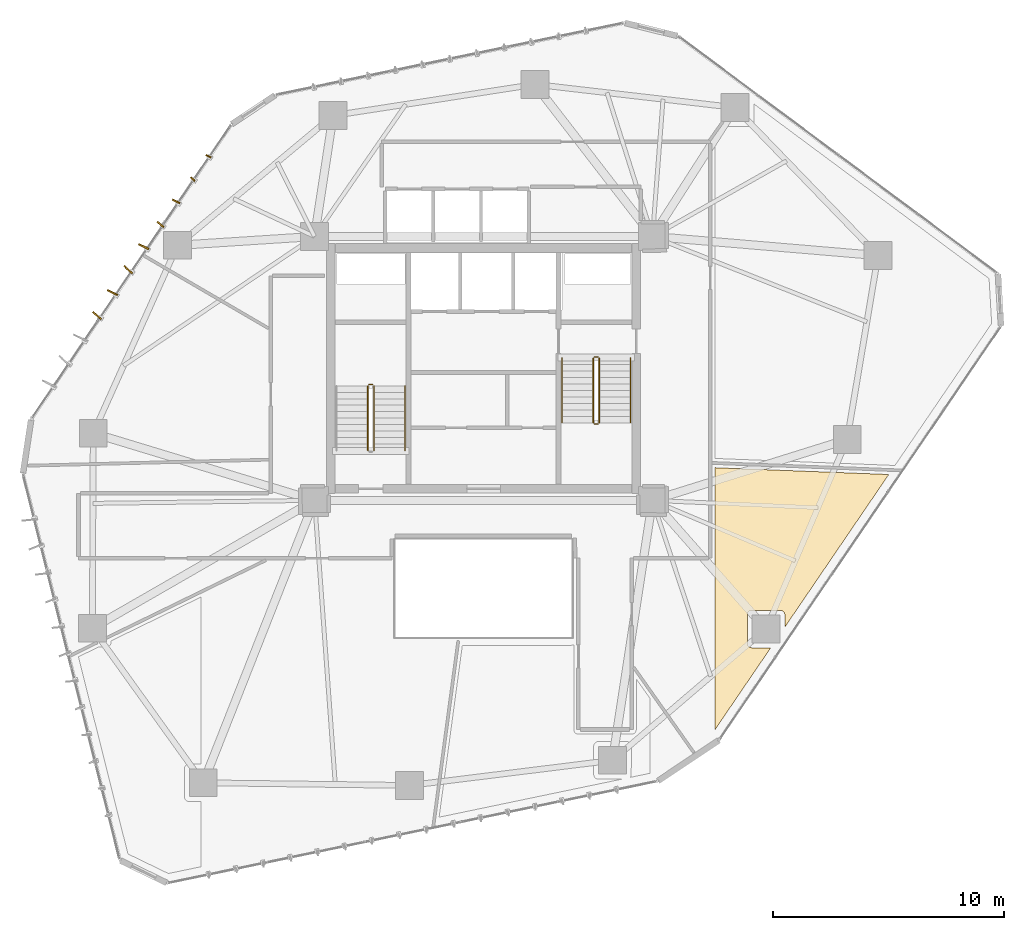
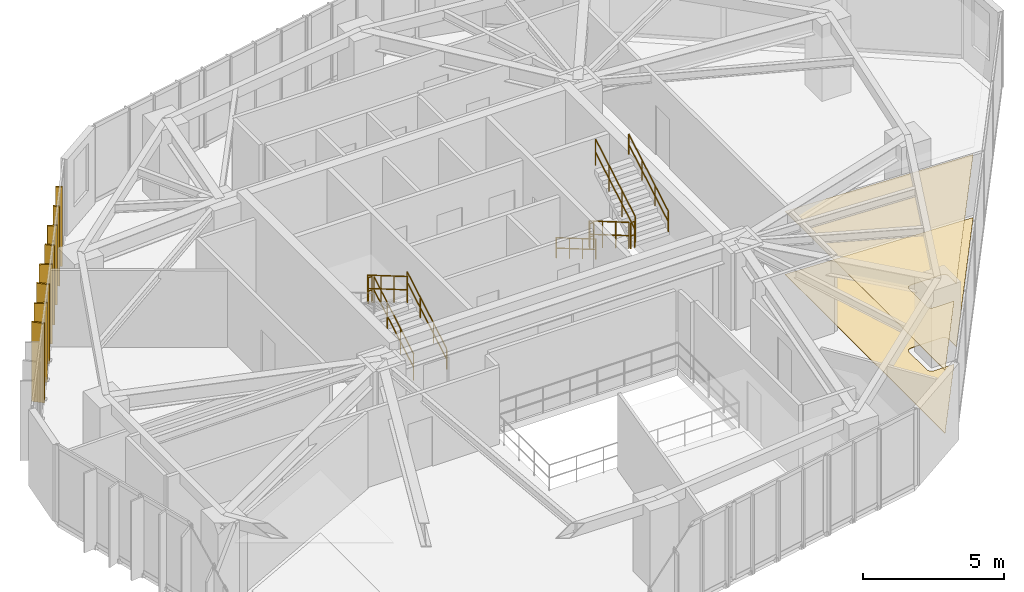
# One storey, part 21 of 22: 10 railings, 8 shading devices, 2 coverings.
"""IFC4 building model written with IfcOpenShell, lengths in metres."""

from ifc_helpers import new_model, si_unit, direction, frame, origin, origin_2d, place, context, subcontext, project, spatial, polyline, rectangle, circle, outline, extrude, source, transform, mapped, material, layer, layer_set, type_object, type_shapes, element, save


model = new_model("IFC4")

# Units and contexts
model_context = context("Model", 3, precision=1e-05, world=origin(), true_north=direction((0.0, 1.0)))
body_context = subcontext(model_context, "Body", "Model", "MODEL_VIEW")
ifc_project = project(units=[si_unit("LENGTHUNIT", "METRE"), si_unit("AREAUNIT", "SQUARE_METRE"), si_unit("VOLUMEUNIT", "CUBIC_METRE"), si_unit("PLANEANGLEUNIT", "RADIAN"), si_unit("MASSUNIT", "GRAM", prefix="KILO")], contexts=[model_context])

# Site, building, storey
site_placement = place(None, origin())
site = spatial("IfcSite", under=ifc_project, at=site_placement, CompositionType="ELEMENT")
building_placement = place(site_placement, origin())
building = spatial("IfcBuilding", under=site, at=building_placement, Name="Talar Marvaseh", CompositionType="ELEMENT")
storey_placement = place(building_placement, frame((0.0, 0.0, 125.39990234375)))
storey = spatial("IfcBuildingStorey", under=building, at=storey_placement, Name="L32", CompositionType="ELEMENT", Elevation=125.39990234375)

# Railings
ifc_material_1 = material(Name="Stainless Steel Grade 316", Category="steel")
railing_type_1 = type_object("IfcRailingType", Name="Brushed Stainless Wall Pitch Handrail 900", PredefinedType="HANDRAIL", material=ifc_material_1)
railing_1_placement = place(storey_placement, frame((22.610107421875, 27.64990234375, 0.163818359375)))
element("IfcRailing", 1, at=railing_1_placement, inside=storey, type_object=railing_type_1, Name="L32 ST-1 stair handrail 1", PredefinedType="HANDRAIL", context=body_context, shape_type="SweptSolid", body=[
    extrude(circle(Radius=0.02392578125, at=origin_2d()), frame((0.0, 0.0, 0.8759765625), z_axis=(0.0, 0.863393664356, 0.504530851732), x_axis=(-1.0, 0.0, 0.0)), (0.0, 0.0, 1.0), 3.2431640625),
    extrude(circle(Radius=0.02392578125, at=origin_2d()), frame((0.0, 0.0, 0.42578125), z_axis=(0.0, 0.863393664356, 0.504530851732), x_axis=(-1.0, 0.0, 0.0)), (0.0, 0.0, 1.0), 3.2431640625),
    extrude(circle(Radius=0.02099609375, at=origin_2d()), origin(), (0.0, 0.0, 1.0), 0.851806640625),
    extrude(circle(Radius=0.02099609375, at=origin_2d()), frame((0.0, 0.933349609375, 0.54541015625)), (0.0, 0.0, 1.0), 0.851806640625),
    extrude(circle(Radius=0.02099609375, at=origin_2d()), frame((0.0, 1.86669921875, 1.0908203125)), (0.0, 0.0, 1.0), 0.851806640625),
    extrude(circle(Radius=0.02099609375, at=origin_2d()), frame((0.0, 2.800048828125, 1.63623046875)), (0.0, 0.0, 1.0), 0.851806640625),
])
railing_2_placement = place(storey_placement, frame((29.389892578125, 31.64990234375, 0.163818359375)))
element("IfcRailing", 2, at=railing_2_placement, inside=storey, type_object=railing_type_1, Name="L32 ST-2 stair handrail 1", PredefinedType="HANDRAIL", context=body_context, shape_type="SweptSolid", body=[
    extrude(circle(Radius=0.02392578125, at=origin_2d()), frame((0.0, 0.0, 0.8759765625), z_axis=(0.0, -0.863374499697, 0.504563646405), x_axis=(1.0, 0.0, 0.0)), (0.0, 0.0, 1.0), 3.242919921875),
    extrude(circle(Radius=0.02392578125, at=origin_2d()), frame((0.0, 0.0, 0.42578125), z_axis=(0.0, -0.863374499697, 0.504563646405), x_axis=(1.0, 0.0, 0.0)), (0.0, 0.0, 1.0), 3.242919921875),
    extrude(circle(Radius=0.02099609375, at=origin_2d()), origin(), (0.0, 0.0, 1.0), 0.851806640625),
    extrude(circle(Radius=0.02099609375, at=origin_2d()), frame((0.0, -0.933349609375, 0.54541015625)), (0.0, 0.0, 1.0), 0.851806640625),
    extrude(circle(Radius=0.02099609375, at=origin_2d()), frame((0.0, -1.866455078125, 1.0908203125)), (0.0, 0.0, 1.0), 0.851806640625),
    extrude(circle(Radius=0.02099609375, at=origin_2d()), frame((0.0, -2.7998046875, 1.63623046875)), (0.0, 0.0, 1.0), 0.851806640625),
])
railing_3_placement = place(storey_placement, frame((32.35009765625, 28.85009765625, 1.963623046875)))
element("IfcRailing", 3, at=railing_3_placement, inside=storey, type_object=railing_type_1, Name="L32 ST-2 stair handrail 2", PredefinedType="HANDRAIL", context=body_context, shape_type="SweptSolid", body=[
    extrude(circle(Radius=0.02392578125, at=origin_2d()), frame((0.0, 0.0, 0.8759765625), z_axis=(0.0, 0.863341702679, 0.504619762213), x_axis=(-1.0, 0.0, 0.0)), (0.0, 0.0, 1.0), 3.242919921875),
    extrude(circle(Radius=0.02392578125, at=origin_2d()), frame((0.0, 0.0, 0.42578125), z_axis=(0.0, 0.863341702679, 0.504619762213), x_axis=(-1.0, 0.0, 0.0)), (0.0, 0.0, 1.0), 3.242919921875),
    extrude(circle(Radius=0.02099609375, at=origin_2d()), origin(), (0.0, 0.0, 1.0), 0.851806640625),
    extrude(circle(Radius=0.02099609375, at=origin_2d()), frame((0.0, 0.933349609375, 0.54541015625)), (0.0, 0.0, 1.0), 0.851806640625),
    extrude(circle(Radius=0.02099609375, at=origin_2d()), frame((0.0, 1.866455078125, 1.091064453125)), (0.0, 0.0, 1.0), 0.851806640625),
    extrude(circle(Radius=0.02099609375, at=origin_2d()), frame((0.0, 2.7998046875, 1.636474609375)), (0.0, 0.0, 1.0), 0.851806640625),
])
railing_type_2 = type_object("IfcRailingType", Name="Painted Steel Core Stair Well Guardrail 1150", PredefinedType="GUARDRAIL", material=ifc_material_1)
railing_4_placement = place(storey_placement, frame((21.260009765625, 27.64990234375, 0.163818359375)))
element("IfcRailing", 4, at=railing_4_placement, inside=storey, type_object=railing_type_2, Name="L32 ST-1 stair guard 1", PredefinedType="GUARDRAIL", context=body_context, shape_type="SweptSolid", body=[
    extrude(circle(Radius=0.02392578125, at=origin_2d()), frame((0.0, 0.0, 1.1259765625), z_axis=(0.0, 0.863393664356, 0.504530851732), x_axis=(-1.0, 0.0, 0.0)), (0.0, 0.0, 1.0), 3.2431640625),
    extrude(circle(Radius=0.02392578125, at=origin_2d()), frame((0.0, 0.0, 0.55078125), z_axis=(0.0, 0.863393664356, 0.504530851732), x_axis=(-1.0, 0.0, 0.0)), (0.0, 0.0, 1.0), 3.2431640625),
    extrude(circle(Radius=0.02099609375, at=origin_2d()), origin(), (0.0, 0.0, 1.0), 1.101806640625),
    extrude(circle(Radius=0.02099609375, at=origin_2d()), frame((0.0, 0.933349609375, 0.54541015625)), (0.0, 0.0, 1.0), 1.101806640625),
    extrude(circle(Radius=0.02099609375, at=origin_2d()), frame((0.0, 1.86669921875, 1.0908203125)), (0.0, 0.0, 1.0), 1.101806640625),
    extrude(circle(Radius=0.02099609375, at=origin_2d()), frame((0.0, 2.800048828125, 1.63623046875)), (0.0, 0.0, 1.0), 1.101806640625),
])
railing_5_placement = place(storey_placement, frame((21.2099609375, 30.5, 1.800048828125)))
element("IfcRailing", 5, at=railing_5_placement, inside=storey, type_object=railing_type_2, Name="L32 ST-1 stair guard 2", PredefinedType="GUARDRAIL", context=body_context, shape_type="SweptSolid", body=[
    extrude(circle(Radius=0.02392578125, at=origin_2d()), frame((0.0, 0.0, 1.1259765625), z_axis=(-1.0, 0.0, 0.0), x_axis=(0.0, -1.0, 0.0)), (0.0, 0.0, 1.0), 0.159912109375),
    extrude(circle(Radius=0.02392578125, at=origin_2d()), frame((0.0, 0.0, 0.55078125), z_axis=(-1.0, 0.0, 0.0), x_axis=(0.0, -1.0, 0.0)), (0.0, 0.0, 1.0), 0.159912109375),
    extrude(circle(Radius=0.02099609375, at=origin_2d()), origin(), (0.0, 0.0, 1.0), 1.101806640625),
    extrude(circle(Radius=0.02099609375, at=origin_2d()), frame((-0.159912109375, 0.0, 0.0)), (0.0, 0.0, 1.0), 1.101806640625),
])
railing_6_placement = place(storey_placement, frame((21.0, 30.449951171875, 1.963623046875)))
element("IfcRailing", 6, at=railing_6_placement, inside=storey, type_object=railing_type_2, Name="L32 ST-1 stair guard 3", PredefinedType="GUARDRAIL", context=body_context, shape_type="SweptSolid", body=[
    extrude(circle(Radius=0.02392578125, at=origin_2d()), frame((0.0, 0.0, 1.1259765625), z_axis=(0.0, -0.863360870873, 0.504586966384), x_axis=(1.0, 0.0, 0.0)), (0.0, 0.0, 1.0), 3.2431640625),
    extrude(circle(Radius=0.02392578125, at=origin_2d()), frame((0.0, 0.0, 0.55078125), z_axis=(0.0, -0.863360870873, 0.504586966384), x_axis=(1.0, 0.0, 0.0)), (0.0, 0.0, 1.0), 3.2431640625),
    extrude(circle(Radius=0.02099609375, at=origin_2d()), origin(), (0.0, 0.0, 1.0), 1.101806640625),
    extrude(circle(Radius=0.02099609375, at=origin_2d()), frame((0.0, -0.933349609375, 0.54541015625)), (0.0, 0.0, 1.0), 1.101806640625),
    extrude(circle(Radius=0.02099609375, at=origin_2d()), frame((0.0, -1.86669921875, 1.091064453125)), (0.0, 0.0, 1.0), 1.101806640625),
    extrude(circle(Radius=0.02099609375, at=origin_2d()), frame((0.0, -2.800048828125, 1.636474609375)), (0.0, 0.0, 1.0), 1.101806640625),
])
railing_7_placement = place(storey_placement, frame((30.739990234375, 31.64990234375, 0.163818359375)))
element("IfcRailing", 7, at=railing_7_placement, inside=storey, type_object=railing_type_2, Name="L32 ST-2 stair guard 1", PredefinedType="GUARDRAIL", context=body_context, shape_type="SweptSolid", body=[
    extrude(circle(Radius=0.02392578125, at=origin_2d()), frame((0.0, 0.0, 1.1259765625), z_axis=(0.0, -0.863374499697, 0.504563646405), x_axis=(1.0, 0.0, 0.0)), (0.0, 0.0, 1.0), 3.242919921875),
    extrude(circle(Radius=0.02392578125, at=origin_2d()), frame((0.0, 0.0, 0.55078125), z_axis=(0.0, -0.863374499697, 0.504563646405), x_axis=(1.0, 0.0, 0.0)), (0.0, 0.0, 1.0), 3.242919921875),
    extrude(circle(Radius=0.02099609375, at=origin_2d()), origin(), (0.0, 0.0, 1.0), 1.101806640625),
    extrude(circle(Radius=0.02099609375, at=origin_2d()), frame((0.0, -0.933349609375, 0.54541015625)), (0.0, 0.0, 1.0), 1.101806640625),
    extrude(circle(Radius=0.02099609375, at=origin_2d()), frame((0.0, -1.866455078125, 1.0908203125)), (0.0, 0.0, 1.0), 1.101806640625),
    extrude(circle(Radius=0.02099609375, at=origin_2d()), frame((0.0, -2.7998046875, 1.63623046875)), (0.0, 0.0, 1.0), 1.101806640625),
])
railing_8_placement = place(storey_placement, frame((30.7900390625, 28.800048828125, 1.800048828125)))
element("IfcRailing", 8, at=railing_8_placement, inside=storey, type_object=railing_type_2, Name="L32 ST-2 stair guard 2", PredefinedType="GUARDRAIL", context=body_context, shape_type="SweptSolid", body=[
    extrude(circle(Radius=0.02392578125, at=origin_2d()), frame((0.0, 0.0, 1.1259765625), z_axis=(1.0, 0.0, 0.0), x_axis=(0.0, 1.0, 0.0)), (0.0, 0.0, 1.0), 0.159912109375),
    extrude(circle(Radius=0.02392578125, at=origin_2d()), frame((0.0, 0.0, 0.55078125), z_axis=(1.0, 0.0, 0.0), x_axis=(0.0, 1.0, 0.0)), (0.0, 0.0, 1.0), 0.159912109375),
    extrude(circle(Radius=0.02099609375, at=origin_2d()), origin(), (0.0, 0.0, 1.0), 1.101806640625),
    extrude(circle(Radius=0.02099609375, at=origin_2d()), frame((0.159912109375, 0.0, 0.0)), (0.0, 0.0, 1.0), 1.101806640625),
])
railing_9_placement = place(storey_placement, frame((31.0, 28.85009765625, 1.963623046875)))
element("IfcRailing", 9, at=railing_9_placement, inside=storey, type_object=railing_type_2, Name="L32 ST-2 stair guard 3", PredefinedType="GUARDRAIL", context=body_context, shape_type="SweptSolid", body=[
    extrude(circle(Radius=0.02392578125, at=origin_2d()), frame((0.0, 0.0, 1.1259765625), z_axis=(0.0, 0.863341702679, 0.504619762213), x_axis=(-1.0, 0.0, 0.0)), (0.0, 0.0, 1.0), 3.242919921875),
    extrude(circle(Radius=0.02392578125, at=origin_2d()), frame((0.0, 0.0, 0.55078125), z_axis=(0.0, 0.863341702679, 0.504619762213), x_axis=(-1.0, 0.0, 0.0)), (0.0, 0.0, 1.0), 3.242919921875),
    extrude(circle(Radius=0.02099609375, at=origin_2d()), origin(), (0.0, 0.0, 1.0), 1.101806640625),
    extrude(circle(Radius=0.02099609375, at=origin_2d()), frame((0.0, 0.933349609375, 0.54541015625)), (0.0, 0.0, 1.0), 1.101806640625),
    extrude(circle(Radius=0.02099609375, at=origin_2d()), frame((0.0, 1.866455078125, 1.091064453125)), (0.0, 0.0, 1.0), 1.101806640625),
    extrude(circle(Radius=0.02099609375, at=origin_2d()), frame((0.0, 2.7998046875, 1.636474609375)), (0.0, 0.0, 1.0), 1.101806640625),
])
railing_10_placement = place(storey_placement, frame((30.7900390625, 31.699951171875, 0.0)))
element("IfcRailing", 10, at=railing_10_placement, inside=storey, type_object=railing_type_2, Name="L32 ST-2 stair guard 4", PredefinedType="GUARDRAIL", context=body_context, shape_type="SweptSolid", body=[
    extrude(circle(Radius=0.02392578125, at=origin_2d()), frame((0.0, 0.0, 1.1259765625), z_axis=(1.0, 0.0, 0.0), x_axis=(0.0, 1.0, 0.0)), (0.0, 0.0, 1.0), 0.159912109375),
    extrude(circle(Radius=0.02392578125, at=origin_2d()), frame((0.0, 0.0, 0.55078125), z_axis=(1.0, 0.0, 0.0), x_axis=(0.0, 1.0, 0.0)), (0.0, 0.0, 1.0), 0.159912109375),
    extrude(circle(Radius=0.02099609375, at=origin_2d()), origin(), (0.0, 0.0, 1.0), 1.101806640625),
    extrude(circle(Radius=0.02099609375, at=origin_2d()), frame((0.159912109375, 0.0, 0.0)), (0.0, 0.0, 1.0), 1.101806640625),
])

# Coverings
ifc_material_2 = material(Name="Mineral Fibre Acoustic Ceiling")
ifc_layer_1 = layer(ifc_material_2, 0.02490234375)
ifc_layer_set_1 = layer_set([ifc_layer_1], Name="Mineral Fibre Acoustic Ceiling")
covering_type_1 = type_object("IfcCoveringType", Name="Perforated Mineral Fibre Acoustic Suspended Ceiling", PredefinedType="CEILING", material=ifc_layer_set_1)
covering_1_placement = place(storey_placement, frame((0.0, 0.0, 2.72021484375)))
element("IfcCovering", 11, at=covering_1_placement, inside=storey, type_object=covering_type_1, Name="L32 Archival Research Office Acoustic Ceiling", PredefinedType="CEILING", context=body_context, shape_type="SweptSolid", body=[
    extrude(outline(polyline([(39.0126953125, 20.59130859375), (39.0078125, 20.610107421875), (39.001220703125, 20.628662109375), (38.99267578125, 20.646240234375), (38.982666015625, 20.6630859375), (38.970947265625, 20.6787109375), (38.957763671875, 20.693359375), (38.943115234375, 20.706298828125), (38.927490234375, 20.718017578125), (38.91064453125, 20.72802734375), (38.89306640625, 20.736328125), (38.87451171875, 20.742919921875), (38.85546875, 20.747802734375), (38.836181640625, 20.75048828125), (38.816650390625, 20.751708984375), (37.595458984375, 20.751708984375), (37.57568359375, 20.75048828125), (37.556396484375, 20.747802734375), (37.537353515625, 20.742919921875), (37.518798828125, 20.736328125), (37.501220703125, 20.72802734375), (37.484375, 20.718017578125), (37.468505859375, 20.706298828125), (37.4541015625, 20.693115234375), (37.44091796875, 20.678466796875), (37.42919921875, 20.66259765625), (37.4189453125, 20.64599609375), (37.41064453125, 20.628173828125), (37.404052734375, 20.609619140625), (37.399169921875, 20.590576171875), (37.396484375, 20.5712890625), (37.3955078125, 20.551513671875), (37.3955078125, 19.330322265625), (37.396484375, 19.310791015625), (37.399169921875, 19.29150390625), (37.404052734375, 19.2724609375), (37.41064453125, 19.25390625), (37.4189453125, 19.236328125), (37.428955078125, 19.219482421875), (37.440673828125, 19.203857421875), (37.45361328125, 19.189208984375), (37.46826171875, 19.176025390625), (37.48388671875, 19.164306640625), (37.500732421875, 19.154296875), (37.518310546875, 19.145751953125), (37.536865234375, 19.13916015625), (37.5556640625, 19.134521484375), (37.5751953125, 19.13134765625), (37.5947265625, 19.13037109375), (38.40576171875, 19.12744140625), (36.0, 15.59521484375), (36.0, 23.0), (36.0, 26.910400390625), (43.507568359375, 26.617919921875), (39.0185546875, 20.027099609375), (39.0166015625, 20.552490234375), (39.015625, 20.572021484375), (39.0126953125, 20.59130859375)])), origin(), (0.0, 0.0, 1.0), 0.02490234375),
])
ifc_material_3 = material(Name="Porcelain Stoneware Tile", Category="masonry")
ifc_layer_2 = layer(ifc_material_3, 0.02001953125)
ifc_layer_set_2 = layer_set([ifc_layer_2], Name="Porcelain Stoneware Tile")
covering_type_2 = type_object("IfcCoveringType", Name="Polished Porcelain Stoneware Gallery Flooring", PredefinedType="FLOORING", material=ifc_layer_set_2)
covering_2_placement = place(storey_placement, origin())
element("IfcCovering", 12, at=covering_2_placement, inside=storey, type_object=covering_type_2, Name="L32 Archival Research Office Flooring", PredefinedType="FLOORING", context=body_context, shape_type="SweptSolid", body=[
    extrude(outline(polyline([(39.0126953125, 20.59130859375), (39.0078125, 20.610107421875), (39.001220703125, 20.628662109375), (38.99267578125, 20.646240234375), (38.982666015625, 20.6630859375), (38.970947265625, 20.6787109375), (38.957763671875, 20.693359375), (38.943115234375, 20.706298828125), (38.927490234375, 20.718017578125), (38.91064453125, 20.72802734375), (38.89306640625, 20.736328125), (38.87451171875, 20.742919921875), (38.85546875, 20.747802734375), (38.836181640625, 20.75048828125), (38.816650390625, 20.751708984375), (37.595458984375, 20.751708984375), (37.57568359375, 20.75048828125), (37.556396484375, 20.747802734375), (37.537353515625, 20.742919921875), (37.518798828125, 20.736328125), (37.501220703125, 20.72802734375), (37.484375, 20.718017578125), (37.468505859375, 20.706298828125), (37.4541015625, 20.693115234375), (37.44091796875, 20.678466796875), (37.42919921875, 20.66259765625), (37.4189453125, 20.64599609375), (37.41064453125, 20.628173828125), (37.404052734375, 20.609619140625), (37.399169921875, 20.590576171875), (37.396484375, 20.5712890625), (37.3955078125, 20.551513671875), (37.3955078125, 19.330322265625), (37.396484375, 19.310791015625), (37.399169921875, 19.29150390625), (37.404052734375, 19.2724609375), (37.41064453125, 19.25390625), (37.4189453125, 19.236328125), (37.428955078125, 19.219482421875), (37.440673828125, 19.203857421875), (37.45361328125, 19.189208984375), (37.46826171875, 19.176025390625), (37.48388671875, 19.164306640625), (37.500732421875, 19.154296875), (37.518310546875, 19.145751953125), (37.536865234375, 19.13916015625), (37.5556640625, 19.134521484375), (37.5751953125, 19.13134765625), (37.5947265625, 19.13037109375), (38.40576171875, 19.12744140625), (36.0, 15.59521484375), (36.0, 23.0), (36.0, 26.910400390625), (43.507568359375, 26.617919921875), (39.0185546875, 20.027099609375), (39.0166015625, 20.552490234375), (39.015625, 20.572021484375), (39.0126953125, 20.59130859375)])), origin(), (0.0, 0.0, 1.0), 0.02001953125),
])

# Shading devices
ifc_material_4 = material(Name="Anodised Champagne Bronze Aluminium", Category="aluminium")
ifc_layer_3 = layer(ifc_material_4, 0.06494140625)
ifc_layer_set_3 = layer_set([ifc_layer_3], Name="Anodised Champagne Bronze Aluminium")
shading_device_type_1 = type_object("IfcShadingDeviceType", Name="Sawtooth Champagne Bronze Vertical Fin 240", PredefinedType="USERDEFINED", material=ifc_layer_set_3)
shared_shape_1 = source(origin(), body_context, "Body", "SweptSolid", [
    extrude(rectangle(XDim=0.239990234375, YDim=0.06494140625, at=origin_2d()), origin(), (0.0, 0.0, 1.0), 3.429931640625),
])
type_shapes(shading_device_type_1, [shared_shape_1])
for number, where, z_axis, x_axis, name in (
    (13, (13.443359375, 39.37158203125, -0.11962890625), (0.0, 0.0, 1.0), (-0.741039025868, 0.671461958818, 0.0), "L32 Sawtooth Vertical Solar Fin"),
    (14, (14.11767578125, 40.3642578125, -0.11962890625), (0.0, 0.0, 1.0), (-0.897412429623, 0.441192623644, 0.0), "L32 Sawtooth Vertical Solar Fin"),
):
    element("IfcShadingDevice", number, at=place(storey_placement, frame(where, z_axis=z_axis, x_axis=x_axis)), inside=storey, type_object=shading_device_type_1, Name=name, ObjectType="FIN", PredefinedType="USERDEFINED", context=body_context, shape_type="MappedRepresentation", body=[
        mapped(shared_shape_1, transform((0.0, 0.0, 0.0), x_axis=(1.0, 0.0, 0.0), y_axis=(0.0, 1.0, 0.0), z_axis=(0.0, 0.0, 1.0), scale=1.0)),
    ])
ifc_layer_4 = layer(ifc_material_4, 0.06494140625)
ifc_layer_set_4 = layer_set([ifc_layer_4], Name="Anodised Champagne Bronze Aluminium")
shading_device_type_2 = type_object("IfcShadingDeviceType", Name="Sawtooth Champagne Bronze Vertical Fin 360", PredefinedType="USERDEFINED", material=ifc_layer_set_4)
shared_shape_2 = source(origin(), body_context, "Body", "SweptSolid", [
    extrude(rectangle(XDim=0.360107421875, YDim=0.06494140625, at=origin_2d()), origin(), (0.0, 0.0, 1.0), 3.429931640625),
])
type_shapes(shading_device_type_2, [shared_shape_2])
for number, where, z_axis, x_axis, name in (
    (15, (12.04541015625, 37.419921875, -0.11962890625), (0.0, 0.0, 1.0), (-0.741039025868, 0.671461958818, 0.0), "L32 Sawtooth Vertical Solar Fin"),
    (16, (12.719482421875, 38.41259765625, -0.11962890625), (0.0, 0.0, 1.0), (-0.897412429623, 0.441192623644, 0.0), "L32 Sawtooth Vertical Solar Fin"),
):
    element("IfcShadingDevice", number, at=place(storey_placement, frame(where, z_axis=z_axis, x_axis=x_axis)), inside=storey, type_object=shading_device_type_2, Name=name, ObjectType="FIN", PredefinedType="USERDEFINED", context=body_context, shape_type="MappedRepresentation", body=[
        mapped(shared_shape_2, transform((0.0, 0.0, 0.0), x_axis=(1.0, 0.0, 0.0), y_axis=(0.0, 1.0, 0.0), z_axis=(0.0, 0.0, 1.0), scale=1.0)),
    ])
ifc_layer_5 = layer(ifc_material_4, 0.06494140625)
ifc_layer_set_5 = layer_set([ifc_layer_5], Name="Anodised Champagne Bronze Aluminium")
shading_device_type_3 = type_object("IfcShadingDeviceType", Name="Sawtooth Champagne Bronze Vertical Fin 480", PredefinedType="USERDEFINED", material=ifc_layer_set_5)
shared_shape_3 = source(origin(), body_context, "Body", "SweptSolid", [
    extrude(rectangle(XDim=0.47998046875, YDim=0.06494140625, at=origin_2d()), origin(), (0.0, 0.0, 1.0), 3.429931640625),
])
type_shapes(shading_device_type_3, [shared_shape_3])
for number, where, z_axis, x_axis, name in (
    (17, (9.299072265625, 33.482666015625, -0.11962890625), (0.0, 0.0, 1.0), (-0.741039025868, 0.671461958818, 0.0), "L32 Sawtooth Vertical Solar Fin"),
    (18, (9.97314453125, 34.475341796875, -0.11962890625), (0.0, 0.0, 1.0), (-0.897412429623, 0.441192623644, 0.0), "L32 Sawtooth Vertical Solar Fin"),
    (19, (10.6474609375, 35.468017578125, -0.11962890625), (0.0, 0.0, 1.0), (-0.741039025868, 0.671461958818, 0.0), "L32 Sawtooth Vertical Solar Fin"),
    (20, (11.321533203125, 36.460693359375, -0.11962890625), (0.0, 0.0, 1.0), (-0.897412429623, 0.441192623644, 0.0), "L32 Sawtooth Vertical Solar Fin"),
):
    element("IfcShadingDevice", number, at=place(storey_placement, frame(where, z_axis=z_axis, x_axis=x_axis)), inside=storey, type_object=shading_device_type_3, Name=name, ObjectType="FIN", PredefinedType="USERDEFINED", context=body_context, shape_type="MappedRepresentation", body=[
        mapped(shared_shape_3, transform((0.0, 0.0, 0.0), x_axis=(1.0, 0.0, 0.0), y_axis=(0.0, 1.0, 0.0), z_axis=(0.0, 0.0, 1.0), scale=1.0)),
    ])

save(model, "model.ifc")
